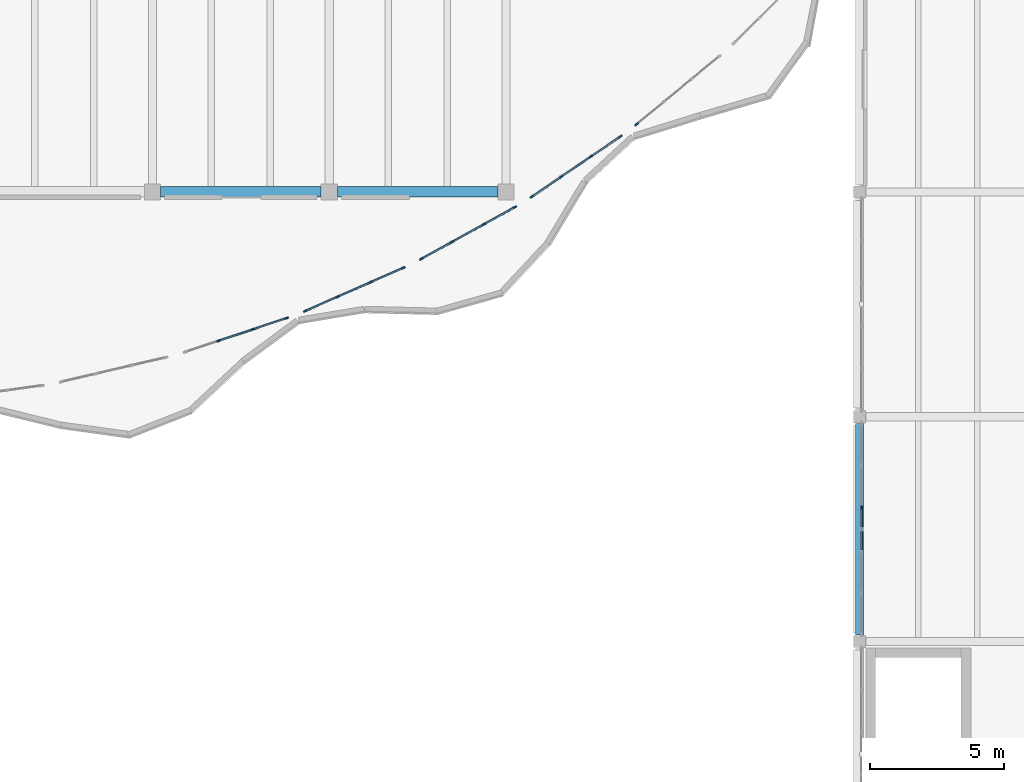
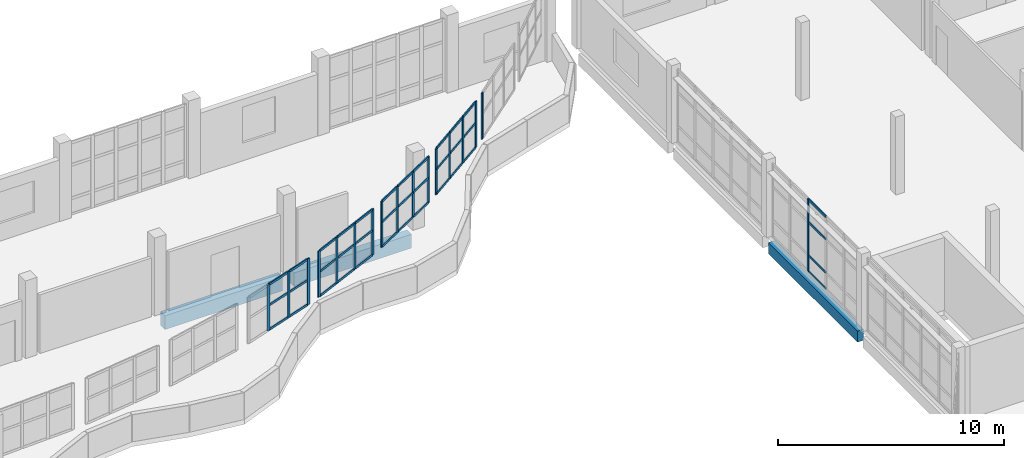
# One storey, part 28 of 74: 54 members, 3 beams, 6 elements without a shape of their own.
"""IFC4 building model written with IfcOpenShell, lengths in metres."""

from ifc_helpers import new_model, si_unit, direction, frame, origin, origin_2d, place, context, subcontext, project, spatial, rectangle, extrude, material, material_profile, profile_set, type_object, element, aggregate, save


model = new_model("IFC4")

# Units and contexts
model_context = context("Model", 3, precision=1e-05, world=origin(), true_north=direction((0.0, 1.0)))
body_context = subcontext(model_context, "Body", "Model", "MODEL_VIEW")
ifc_project = project(units=[si_unit("LENGTHUNIT", "METRE"), si_unit("AREAUNIT", "SQUARE_METRE"), si_unit("VOLUMEUNIT", "CUBIC_METRE"), si_unit("PLANEANGLEUNIT", "RADIAN"), si_unit("MASSUNIT", "GRAM", prefix="KILO")], contexts=[model_context])

# Site, building, storey
site_placement = place(None, origin())
site = spatial("IfcSite", under=ifc_project, at=site_placement, CompositionType="ELEMENT")
building_placement = place(site_placement, origin())
building = spatial("IfcBuilding", under=site, at=building_placement, Name="Qaldarim Faculty of Natural and Applied Sciences", CompositionType="ELEMENT")
storey_placement = place(building_placement, frame((0.0, 0.0, 14.39990234375)))
storey = spatial("IfcBuildingStorey", under=building, at=storey_placement, Name="L03", CompositionType="ELEMENT", Elevation=14.39990234375)

# Beams
ifc_material_1 = material(Name="Concrete C50/60", Category="concrete")
ifc_material_profile_1 = material_profile(ifc_material_1, rectangle(XDim=0.39990234375, YDim=0.75, at=origin_2d()), Name="RC-B400x750")
ifc_profile_set_1 = profile_set([ifc_material_profile_1], Name="Concrete C50/60")
beam_type_1 = type_object("IfcBeamType", Name="LabGirder-RC400x750", PredefinedType="BEAM", material=ifc_profile_set_1)
for number, where, z_axis, x_axis, name in (
    (1, (125.699951171875, 109.199951171875, -0.635009765625), (1.0, 0.0, 0.0), (0.0, 1.0, 0.0), "Beam RC-B400x750 L02 X20-X21/Y14"),
    (2, (132.300048828125, 109.199951171875, -0.635009765625), (1.0, 0.0, 0.0), (0.0, 1.0, 0.0), "Beam RC-B400x750 L02 X21-X22/Y14"),
):
    element("IfcBeam", number, at=place(storey_placement, frame(where, z_axis=z_axis, x_axis=x_axis)), inside=storey, type_object=beam_type_1, Name=name, PredefinedType="BEAM", context=body_context, shape_type="SweptSolid", body=[
        extrude(rectangle(XDim=0.39990234375, YDim=0.75, at=origin_2d()), origin(), (0.0, 0.0, 1.0), 6.0),
    ])

# Curtain wall, member
ifc_material_2 = material(Name="Anodised aluminium AW-6063", Category="aluminium")
curtain_wall_type_1 = type_object("IfcCurtainWallType", Name="CurtainWallSystem-M1600", PredefinedType="USERDEFINED", material=ifc_material_2)
curtain_wall_1_placement = place(storey_placement, origin())
curtain_wall_1 = element("IfcCurtainWall", 3, at=curtain_wall_1_placement, inside=storey, type_object=curtain_wall_type_1, Name="Curtain wall CW-L03-W-X24Y12", ObjectType="UNITISED FACADE", PredefinedType="USERDEFINED")
ifc_material_profile_2 = material_profile(ifc_material_2, rectangle(XDim=0.06005859375, YDim=0.14990234375, at=origin_2d()), Name="ALU-M60x150")
ifc_profile_set_2 = profile_set([ifc_material_profile_2], Name="Anodised aluminium AW-6063")
member_type_1 = type_object("IfcMemberType", Name="Mullion-ALU60x150", PredefinedType="MULLION", material=ifc_profile_set_2)
member_1_placement = place(storey_placement, frame((151.8798828125, 97.39599609375, 0.0), z_axis=(0.0, 0.0, 1.0), x_axis=(1.0, 0.0, 0.0)))
member_1 = element("IfcMember", 4, at=member_1_placement, type_object=member_type_1, Name="Mullion 3 of CW-L03-W-X24Y12", PredefinedType="MULLION", context=body_context, shape_type="SweptSolid", body=[
    extrude(rectangle(XDim=0.06005859375, YDim=0.14990234375, at=origin_2d()), origin(), (0.0, 0.0, 1.0), 3.940185546875),
])

# Curtain wall, members
curtain_wall_type_2 = type_object("IfcCurtainWallType", Name="CurtainWallSystem-M1400", PredefinedType="USERDEFINED", material=ifc_material_2)
curtain_wall_2_placement = place(storey_placement, origin())
curtain_wall_2 = element("IfcCurtainWall", 5, at=curtain_wall_2_placement, inside=storey, type_object=curtain_wall_type_2, Name="Curtain wall CW-V4ARC-L03-06", ObjectType="STICK CURTAIN WALL", PredefinedType="USERDEFINED")
member_2_placement = place(storey_placement, frame((127.873291015625, 103.63671875, 1.4501953125), z_axis=(0.0, 0.0, 1.0), x_axis=(-0.316592858196, 0.94856152259, 0.0)))
member_2 = element("IfcMember", 6, at=member_2_placement, type_object=member_type_1, Name="Mullion 2 of CW-V4ARC-L03-06", PredefinedType="MULLION", context=body_context, shape_type="SweptSolid", body=[
    extrude(rectangle(XDim=0.06005859375, YDim=0.14990234375, at=origin_2d()), origin(), (0.0, 0.0, 1.0), 2.489990234375),
])
member_3_placement = place(storey_placement, frame((129.151611328125, 104.063232421875, 1.4501953125), z_axis=(0.0, 0.0, 1.0), x_axis=(-0.316592858196, 0.94856152259, 0.0)))
member_3 = element("IfcMember", 7, at=member_3_placement, type_object=member_type_1, Name="Mullion 3 of CW-V4ARC-L03-06", PredefinedType="MULLION", context=body_context, shape_type="SweptSolid", body=[
    extrude(rectangle(XDim=0.06005859375, YDim=0.14990234375, at=origin_2d()), origin(), (0.0, 0.0, 1.0), 2.489990234375),
])
member_4_placement = place(storey_placement, frame((130.401611328125, 104.48046875, 1.4501953125), z_axis=(0.0, 0.0, 1.0), x_axis=(-0.316592858196, 0.94856152259, 0.0)))
member_4 = element("IfcMember", 8, at=member_4_placement, type_object=member_type_1, Name="Mullion 4 of CW-V4ARC-L03-06", PredefinedType="MULLION", context=body_context, shape_type="SweptSolid", body=[
    extrude(rectangle(XDim=0.06005859375, YDim=0.14990234375, at=origin_2d()), origin(), (0.0, 0.0, 1.0), 2.489990234375),
])

curtain_wall_3_placement = place(storey_placement, origin())
curtain_wall_3 = element("IfcCurtainWall", 9, at=curtain_wall_3_placement, inside=storey, type_object=curtain_wall_type_2, Name="Curtain wall CW-V4ARC-L03-08", ObjectType="STICK CURTAIN WALL", PredefinedType="USERDEFINED")
member_5_placement = place(storey_placement, frame((131.112548828125, 104.752197265625, 1.4501953125), z_axis=(0.0, 0.0, 1.0), x_axis=(-0.40269876371, 0.915332565632, 0.0)))
member_5 = element("IfcMember", 10, at=member_5_placement, type_object=member_type_1, Name="Mullion 1 of CW-V4ARC-L03-08", PredefinedType="MULLION", context=body_context, shape_type="SweptSolid", body=[
    extrude(rectangle(XDim=0.06005859375, YDim=0.14990234375, at=origin_2d()), origin(), (0.0, 0.0, 1.0), 2.489990234375),
])
member_6_placement = place(storey_placement, frame((132.320068359375, 105.283203125, 1.4501953125), z_axis=(0.0, 0.0, 1.0), x_axis=(-0.40269876371, 0.915332565632, 0.0)))
member_6 = element("IfcMember", 11, at=member_6_placement, type_object=member_type_1, Name="Mullion 2 of CW-V4ARC-L03-08", PredefinedType="MULLION", context=body_context, shape_type="SweptSolid", body=[
    extrude(rectangle(XDim=0.06005859375, YDim=0.14990234375, at=origin_2d()), origin(), (0.0, 0.0, 1.0), 2.489990234375),
])
member_7_placement = place(storey_placement, frame((133.554931640625, 105.82666015625, 1.4501953125), z_axis=(0.0, 0.0, 1.0), x_axis=(-0.40269876371, 0.915332565632, 0.0)))
member_7 = element("IfcMember", 12, at=member_7_placement, type_object=member_type_1, Name="Mullion 3 of CW-V4ARC-L03-08", PredefinedType="MULLION", context=body_context, shape_type="SweptSolid", body=[
    extrude(rectangle(XDim=0.06005859375, YDim=0.14990234375, at=origin_2d()), origin(), (0.0, 0.0, 1.0), 2.489990234375),
])
member_8_placement = place(storey_placement, frame((134.762451171875, 106.35791015625, 1.4501953125), z_axis=(0.0, 0.0, 1.0), x_axis=(-0.40269876371, 0.915332565632, 0.0)))
member_8 = element("IfcMember", 13, at=member_8_placement, type_object=member_type_1, Name="Mullion 4 of CW-V4ARC-L03-08", PredefinedType="MULLION", context=body_context, shape_type="SweptSolid", body=[
    extrude(rectangle(XDim=0.06005859375, YDim=0.14990234375, at=origin_2d()), origin(), (0.0, 0.0, 1.0), 2.489990234375),
])

curtain_wall_4_placement = place(storey_placement, origin())
curtain_wall_4 = element("IfcCurtainWall", 14, at=curtain_wall_4_placement, inside=storey, type_object=curtain_wall_type_2, Name="Curtain wall CW-V4ARC-L03-10", ObjectType="STICK CURTAIN WALL", PredefinedType="USERDEFINED")
member_9_placement = place(storey_placement, frame((135.441162109375, 106.694580078125, 1.4501953125), z_axis=(0.0, 0.0, 1.0), x_axis=(-0.484382142552, 0.874856525367, 0.0)))
member_9 = element("IfcMember", 15, at=member_9_placement, type_object=member_type_1, Name="Mullion 1 of CW-V4ARC-L03-10", PredefinedType="MULLION", context=body_context, shape_type="SweptSolid", body=[
    extrude(rectangle(XDim=0.06005859375, YDim=0.14990234375, at=origin_2d()), origin(), (0.0, 0.0, 1.0), 2.489990234375),
])
member_10_placement = place(storey_placement, frame((136.594970703125, 107.333251953125, 1.4501953125), z_axis=(0.0, 0.0, 1.0), x_axis=(-0.484382142552, 0.874856525367, 0.0)))
member_10 = element("IfcMember", 16, at=member_10_placement, type_object=member_type_1, Name="Mullion 2 of CW-V4ARC-L03-10", PredefinedType="MULLION", context=body_context, shape_type="SweptSolid", body=[
    extrude(rectangle(XDim=0.06005859375, YDim=0.14990234375, at=origin_2d()), origin(), (0.0, 0.0, 1.0), 2.489990234375),
])
member_11_placement = place(storey_placement, frame((137.77490234375, 107.98681640625, 1.4501953125), z_axis=(0.0, 0.0, 1.0), x_axis=(-0.484382142552, 0.874856525367, 0.0)))
member_11 = element("IfcMember", 17, at=member_11_placement, type_object=member_type_1, Name="Mullion 3 of CW-V4ARC-L03-10", PredefinedType="MULLION", context=body_context, shape_type="SweptSolid", body=[
    extrude(rectangle(XDim=0.06005859375, YDim=0.14990234375, at=origin_2d()), origin(), (0.0, 0.0, 1.0), 2.489990234375),
])
member_12_placement = place(storey_placement, frame((138.9287109375, 108.62548828125, 1.4501953125), z_axis=(0.0, 0.0, 1.0), x_axis=(-0.484382142552, 0.874856525367, 0.0)))
member_12 = element("IfcMember", 18, at=member_12_placement, type_object=member_type_1, Name="Mullion 4 of CW-V4ARC-L03-10", PredefinedType="MULLION", context=body_context, shape_type="SweptSolid", body=[
    extrude(rectangle(XDim=0.06005859375, YDim=0.14990234375, at=origin_2d()), origin(), (0.0, 0.0, 1.0), 2.489990234375),
])

curtain_wall_5_placement = place(storey_placement, origin())
curtain_wall_5 = element("IfcCurtainWall", 19, at=curtain_wall_5_placement, inside=storey, type_object=curtain_wall_type_2, Name="Curtain wall CW-V4ARC-L03-12", ObjectType="STICK CURTAIN WALL", PredefinedType="USERDEFINED")
member_13_placement = place(storey_placement, frame((139.57470703125, 109.02197265625, 1.4501953125), z_axis=(0.0, 0.0, 1.0), x_axis=(-0.562372049186, 0.826884319778, 0.0)))
member_13 = element("IfcMember", 20, at=member_13_placement, type_object=member_type_1, Name="Mullion 1 of CW-V4ARC-L03-12", PredefinedType="MULLION", context=body_context, shape_type="SweptSolid", body=[
    extrude(rectangle(XDim=0.06005859375, YDim=0.14990234375, at=origin_2d()), origin(), (0.0, 0.0, 1.0), 2.489990234375),
])
member_14_placement = place(storey_placement, frame((140.6650390625, 109.76318359375, 1.4501953125), z_axis=(0.0, 0.0, 1.0), x_axis=(-0.562372049186, 0.826884319778, 0.0)))
member_14 = element("IfcMember", 21, at=member_14_placement, type_object=member_type_1, Name="Mullion 2 of CW-V4ARC-L03-12", PredefinedType="MULLION", context=body_context, shape_type="SweptSolid", body=[
    extrude(rectangle(XDim=0.06005859375, YDim=0.14990234375, at=origin_2d()), origin(), (0.0, 0.0, 1.0), 2.489990234375),
])
member_15_placement = place(storey_placement, frame((141.780029296875, 110.521728515625, 1.4501953125), z_axis=(0.0, 0.0, 1.0), x_axis=(-0.562372049186, 0.826884319778, 0.0)))
member_15 = element("IfcMember", 22, at=member_15_placement, type_object=member_type_1, Name="Mullion 3 of CW-V4ARC-L03-12", PredefinedType="MULLION", context=body_context, shape_type="SweptSolid", body=[
    extrude(rectangle(XDim=0.06005859375, YDim=0.14990234375, at=origin_2d()), origin(), (0.0, 0.0, 1.0), 2.489990234375),
])
member_16_placement = place(storey_placement, frame((142.8701171875, 111.26318359375, 1.4501953125), z_axis=(0.0, 0.0, 1.0), x_axis=(-0.562372049186, 0.826884319778, 0.0)))
member_16 = element("IfcMember", 23, at=member_16_placement, type_object=member_type_1, Name="Mullion 4 of CW-V4ARC-L03-12", PredefinedType="MULLION", context=body_context, shape_type="SweptSolid", body=[
    extrude(rectangle(XDim=0.06005859375, YDim=0.14990234375, at=origin_2d()), origin(), (0.0, 0.0, 1.0), 2.489990234375),
])

# Curtain wall, member
curtain_wall_6_placement = place(storey_placement, origin())
curtain_wall_6 = element("IfcCurtainWall", 24, at=curtain_wall_6_placement, inside=storey, type_object=curtain_wall_type_2, Name="Curtain wall CW-V4ARC-L03-14", ObjectType="STICK CURTAIN WALL", PredefinedType="USERDEFINED")
member_17_placement = place(storey_placement, frame((143.478271484375, 111.718994140625, 1.4501953125), z_axis=(0.0, 0.0, 1.0), x_axis=(-0.635930067271, 0.771746687418, 0.0)))
member_17 = element("IfcMember", 25, at=member_17_placement, type_object=member_type_1, Name="Mullion 1 of CW-V4ARC-L03-14", PredefinedType="MULLION", context=body_context, shape_type="SweptSolid", body=[
    extrude(rectangle(XDim=0.06005859375, YDim=0.14990234375, at=origin_2d()), origin(), (0.0, 0.0, 1.0), 2.489990234375),
])
aggregate(curtain_wall_6, [member_17])

# Beam
ifc_material_3 = material(Name="Precast concrete C40/50", Category="concrete")
ifc_material_profile_3 = material_profile(ifc_material_3, rectangle(XDim=0.300048828125, YDim=0.60009765625, at=origin_2d()), Name="RC-SP300x600")
ifc_profile_set_3 = profile_set([ifc_material_profile_3], Name="Precast concrete C40/50")
beam_type_2 = type_object("IfcBeamType", Name="SpandrelBeam-RC300x600", PredefinedType="SPANDREL", material=ifc_profile_set_3)
beam_placement = place(storey_placement, frame((151.800048828125, 92.64990234375, -0.559814453125), z_axis=(0.0, 1.0, 0.0), x_axis=(-1.0, 0.0, 0.0)))
element("IfcBeam", 26, at=beam_placement, inside=storey, type_object=beam_type_2, Name="Beam RC-SP300x600 L02 X24/Y12-Y13", PredefinedType="SPANDREL", context=body_context, shape_type="SweptSolid", body=[
    extrude(rectangle(XDim=0.300048828125, YDim=0.60009765625, at=origin_2d()), origin(), (0.0, 0.0, 1.0), 7.900146484375),
])

# Member
ifc_material_profile_4 = material_profile(ifc_material_2, rectangle(XDim=0.06005859375, YDim=0.1201171875, at=origin_2d()), Name="ALU-T60x120")
ifc_profile_set_4 = profile_set([ifc_material_profile_4], Name="Anodised aluminium AW-6063")
member_type_2 = type_object("IfcMemberType", Name="Transom-ALU60x120", PredefinedType="USERDEFINED", material=ifc_profile_set_4)
member_18_placement = place(storey_placement, frame((151.8798828125, 97.365966796875, 0.030029296875), z_axis=(0.0, -1.0, 0.0), x_axis=(1.0, 0.0, 0.0)))
member_18 = element("IfcMember", 27, at=member_18_placement, type_object=member_type_2, Name="Transom 3-1 of CW-L03-W-X24Y12", ObjectType="TRANSOM", PredefinedType="USERDEFINED", context=body_context, shape_type="SweptSolid", body=[
    extrude(rectangle(XDim=0.06005859375, YDim=0.1201171875, at=origin_2d()), origin(), (0.0, 0.0, 1.0), 1.531982421875),
])

member_19_placement = place(storey_placement, frame((151.8798828125, 97.365966796875, 0.900146484375), z_axis=(0.0, -1.0, 0.0), x_axis=(1.0, 0.0, 0.0)))
member_19 = element("IfcMember", 28, at=member_19_placement, type_object=member_type_2, Name="Transom 3-2 of CW-L03-W-X24Y12", ObjectType="TRANSOM", PredefinedType="USERDEFINED", context=body_context, shape_type="SweptSolid", body=[
    extrude(rectangle(XDim=0.06005859375, YDim=0.1201171875, at=origin_2d()), origin(), (0.0, 0.0, 1.0), 1.531982421875),
])

member_20_placement = place(storey_placement, frame((151.8798828125, 97.365966796875, 2.7001953125), z_axis=(0.0, -1.0, 0.0), x_axis=(1.0, 0.0, 0.0)))
member_20 = element("IfcMember", 29, at=member_20_placement, type_object=member_type_2, Name="Transom 3-3 of CW-L03-W-X24Y12", ObjectType="TRANSOM", PredefinedType="USERDEFINED", context=body_context, shape_type="SweptSolid", body=[
    extrude(rectangle(XDim=0.06005859375, YDim=0.1201171875, at=origin_2d()), origin(), (0.0, 0.0, 1.0), 1.531982421875),
])

member_21_placement = place(storey_placement, frame((151.8798828125, 97.365966796875, 3.91015625), z_axis=(0.0, -1.0, 0.0), x_axis=(1.0, 0.0, 0.0)))
member_21 = element("IfcMember", 30, at=member_21_placement, type_object=member_type_2, Name="Transom 3-4 of CW-L03-W-X24Y12", ObjectType="TRANSOM", PredefinedType="USERDEFINED", context=body_context, shape_type="SweptSolid", body=[
    extrude(rectangle(XDim=0.06005859375, YDim=0.1201171875, at=origin_2d()), origin(), (0.0, 0.0, 1.0), 1.531982421875),
])

aggregate(curtain_wall_1, [member_1, member_18, member_19, member_20, member_21])

member_22_placement = place(storey_placement, frame((127.90185546875, 103.646240234375, 1.47998046875), z_axis=(0.948607427677, 0.316455286187, 0.0), x_axis=(-0.316455286187, 0.948607427677, 0.0)))
member_22 = element("IfcMember", 31, at=member_22_placement, type_object=member_type_2, Name="Transom 2-1 of CW-V4ARC-L03-06", ObjectType="TRANSOM", PredefinedType="USERDEFINED", context=body_context, shape_type="SweptSolid", body=[
    extrude(rectangle(XDim=0.06005859375, YDim=0.1201171875, at=origin_2d()), origin(), (0.0, 0.0, 1.0), 1.28759765625),
])

member_23_placement = place(storey_placement, frame((127.90185546875, 103.646240234375, 2.800048828125), z_axis=(0.948607427677, 0.316455286187, 0.0), x_axis=(-0.316455286187, 0.948607427677, 0.0)))
member_23 = element("IfcMember", 32, at=member_23_placement, type_object=member_type_2, Name="Transom 2-2 of CW-V4ARC-L03-06", ObjectType="TRANSOM", PredefinedType="USERDEFINED", context=body_context, shape_type="SweptSolid", body=[
    extrude(rectangle(XDim=0.06005859375, YDim=0.1201171875, at=origin_2d()), origin(), (0.0, 0.0, 1.0), 1.28759765625),
])

member_24_placement = place(storey_placement, frame((127.90185546875, 103.646240234375, 3.91015625), z_axis=(0.948607427677, 0.316455286187, 0.0), x_axis=(-0.316455286187, 0.948607427677, 0.0)))
member_24 = element("IfcMember", 33, at=member_24_placement, type_object=member_type_2, Name="Transom 2-3 of CW-V4ARC-L03-06", ObjectType="TRANSOM", PredefinedType="USERDEFINED", context=body_context, shape_type="SweptSolid", body=[
    extrude(rectangle(XDim=0.06005859375, YDim=0.1201171875, at=origin_2d()), origin(), (0.0, 0.0, 1.0), 1.28759765625),
])

member_25_placement = place(storey_placement, frame((129.18017578125, 104.07275390625, 1.47998046875), z_axis=(0.948547315421, 0.31663542191, 0.0), x_axis=(-0.31663542191, 0.948547315421, 0.0)))
member_25 = element("IfcMember", 34, at=member_25_placement, type_object=member_type_2, Name="Transom 3-1 of CW-V4ARC-L03-06", ObjectType="TRANSOM", PredefinedType="USERDEFINED", context=body_context, shape_type="SweptSolid", body=[
    extrude(rectangle(XDim=0.06005859375, YDim=0.1201171875, at=origin_2d()), origin(), (0.0, 0.0, 1.0), 1.257568359375),
])

member_26_placement = place(storey_placement, frame((129.18017578125, 104.07275390625, 2.800048828125), z_axis=(0.948547315421, 0.31663542191, 0.0), x_axis=(-0.31663542191, 0.948547315421, 0.0)))
member_26 = element("IfcMember", 35, at=member_26_placement, type_object=member_type_2, Name="Transom 3-2 of CW-V4ARC-L03-06", ObjectType="TRANSOM", PredefinedType="USERDEFINED", context=body_context, shape_type="SweptSolid", body=[
    extrude(rectangle(XDim=0.06005859375, YDim=0.1201171875, at=origin_2d()), origin(), (0.0, 0.0, 1.0), 1.257568359375),
])

member_27_placement = place(storey_placement, frame((129.18017578125, 104.07275390625, 3.91015625), z_axis=(0.948547315421, 0.31663542191, 0.0), x_axis=(-0.31663542191, 0.948547315421, 0.0)))
member_27 = element("IfcMember", 36, at=member_27_placement, type_object=member_type_2, Name="Transom 3-3 of CW-V4ARC-L03-06", ObjectType="TRANSOM", PredefinedType="USERDEFINED", context=body_context, shape_type="SweptSolid", body=[
    extrude(rectangle(XDim=0.06005859375, YDim=0.1201171875, at=origin_2d()), origin(), (0.0, 0.0, 1.0), 1.257568359375),
])

aggregate(curtain_wall_2, [member_2, member_3, member_4, member_22, member_23, member_24, member_25, member_26, member_27])

member_28_placement = place(storey_placement, frame((131.139892578125, 104.76416015625, 1.47998046875), z_axis=(0.915332184978, 0.402699628934, 0.0), x_axis=(-0.402699628934, 0.915332184978, 0.0)))
member_28 = element("IfcMember", 37, at=member_28_placement, type_object=member_type_2, Name="Transom 1-1 of CW-V4ARC-L03-08", ObjectType="TRANSOM", PredefinedType="USERDEFINED", context=body_context, shape_type="SweptSolid", body=[
    extrude(rectangle(XDim=0.06005859375, YDim=0.1201171875, at=origin_2d()), origin(), (0.0, 0.0, 1.0), 1.25927734375),
])

member_29_placement = place(storey_placement, frame((131.139892578125, 104.76416015625, 2.800048828125), z_axis=(0.915332184978, 0.402699628934, 0.0), x_axis=(-0.402699628934, 0.915332184978, 0.0)))
member_29 = element("IfcMember", 38, at=member_29_placement, type_object=member_type_2, Name="Transom 1-2 of CW-V4ARC-L03-08", ObjectType="TRANSOM", PredefinedType="USERDEFINED", context=body_context, shape_type="SweptSolid", body=[
    extrude(rectangle(XDim=0.06005859375, YDim=0.1201171875, at=origin_2d()), origin(), (0.0, 0.0, 1.0), 1.25927734375),
])

member_30_placement = place(storey_placement, frame((131.139892578125, 104.76416015625, 3.91015625), z_axis=(0.915332184978, 0.402699628934, 0.0), x_axis=(-0.402699628934, 0.915332184978, 0.0)))
member_30 = element("IfcMember", 39, at=member_30_placement, type_object=member_type_2, Name="Transom 1-3 of CW-V4ARC-L03-08", ObjectType="TRANSOM", PredefinedType="USERDEFINED", context=body_context, shape_type="SweptSolid", body=[
    extrude(rectangle(XDim=0.06005859375, YDim=0.1201171875, at=origin_2d()), origin(), (0.0, 0.0, 1.0), 1.25927734375),
])

member_31_placement = place(storey_placement, frame((132.347412109375, 105.29541015625, 1.47998046875), z_axis=(0.915312240394, 0.402744959726, 0.0), x_axis=(-0.402744959726, 0.915312240394, 0.0)))
member_31 = element("IfcMember", 40, at=member_31_placement, type_object=member_type_2, Name="Transom 2-1 of CW-V4ARC-L03-08", ObjectType="TRANSOM", PredefinedType="USERDEFINED", context=body_context, shape_type="SweptSolid", body=[
    extrude(rectangle(XDim=0.06005859375, YDim=0.1201171875, at=origin_2d()), origin(), (0.0, 0.0, 1.0), 1.289306640625),
])

member_32_placement = place(storey_placement, frame((132.347412109375, 105.29541015625, 2.800048828125), z_axis=(0.915312240394, 0.402744959726, 0.0), x_axis=(-0.402744959726, 0.915312240394, 0.0)))
member_32 = element("IfcMember", 41, at=member_32_placement, type_object=member_type_2, Name="Transom 2-2 of CW-V4ARC-L03-08", ObjectType="TRANSOM", PredefinedType="USERDEFINED", context=body_context, shape_type="SweptSolid", body=[
    extrude(rectangle(XDim=0.06005859375, YDim=0.1201171875, at=origin_2d()), origin(), (0.0, 0.0, 1.0), 1.289306640625),
])

member_33_placement = place(storey_placement, frame((132.347412109375, 105.29541015625, 3.91015625), z_axis=(0.915312240394, 0.402744959726, 0.0), x_axis=(-0.402744959726, 0.915312240394, 0.0)))
member_33 = element("IfcMember", 42, at=member_33_placement, type_object=member_type_2, Name="Transom 2-3 of CW-V4ARC-L03-08", ObjectType="TRANSOM", PredefinedType="USERDEFINED", context=body_context, shape_type="SweptSolid", body=[
    extrude(rectangle(XDim=0.06005859375, YDim=0.1201171875, at=origin_2d()), origin(), (0.0, 0.0, 1.0), 1.289306640625),
])

member_34_placement = place(storey_placement, frame((133.58251953125, 105.838623046875, 1.47998046875), z_axis=(0.915332184978, 0.402699628934, 0.0), x_axis=(-0.402699628934, 0.915332184978, 0.0)))
member_34 = element("IfcMember", 43, at=member_34_placement, type_object=member_type_2, Name="Transom 3-1 of CW-V4ARC-L03-08", ObjectType="TRANSOM", PredefinedType="USERDEFINED", context=body_context, shape_type="SweptSolid", body=[
    extrude(rectangle(XDim=0.06005859375, YDim=0.1201171875, at=origin_2d()), origin(), (0.0, 0.0, 1.0), 1.25927734375),
])

member_35_placement = place(storey_placement, frame((133.58251953125, 105.838623046875, 2.800048828125), z_axis=(0.915332184978, 0.402699628934, 0.0), x_axis=(-0.402699628934, 0.915332184978, 0.0)))
member_35 = element("IfcMember", 44, at=member_35_placement, type_object=member_type_2, Name="Transom 3-2 of CW-V4ARC-L03-08", ObjectType="TRANSOM", PredefinedType="USERDEFINED", context=body_context, shape_type="SweptSolid", body=[
    extrude(rectangle(XDim=0.06005859375, YDim=0.1201171875, at=origin_2d()), origin(), (0.0, 0.0, 1.0), 1.25927734375),
])

member_36_placement = place(storey_placement, frame((133.58251953125, 105.838623046875, 3.91015625), z_axis=(0.915332184978, 0.402699628934, 0.0), x_axis=(-0.402699628934, 0.915332184978, 0.0)))
member_36 = element("IfcMember", 45, at=member_36_placement, type_object=member_type_2, Name="Transom 3-3 of CW-V4ARC-L03-08", ObjectType="TRANSOM", PredefinedType="USERDEFINED", context=body_context, shape_type="SweptSolid", body=[
    extrude(rectangle(XDim=0.06005859375, YDim=0.1201171875, at=origin_2d()), origin(), (0.0, 0.0, 1.0), 1.25927734375),
])

aggregate(curtain_wall_3, [member_5, member_6, member_7, member_8, member_28, member_29, member_30, member_31, member_32, member_33, member_34, member_35, member_36])

member_37_placement = place(storey_placement, frame((135.467529296875, 106.708984375, 1.47998046875), z_axis=(0.874824232123, 0.484440463721, 0.0), x_axis=(-0.484440463721, 0.874824232123, 0.0)))
member_37 = element("IfcMember", 46, at=member_37_placement, type_object=member_type_2, Name="Transom 1-1 of CW-V4ARC-L03-10", ObjectType="TRANSOM", PredefinedType="USERDEFINED", context=body_context, shape_type="SweptSolid", body=[
    extrude(rectangle(XDim=0.06005859375, YDim=0.1201171875, at=origin_2d()), origin(), (0.0, 0.0, 1.0), 1.2587890625),
])

member_38_placement = place(storey_placement, frame((135.467529296875, 106.708984375, 2.800048828125), z_axis=(0.874824232123, 0.484440463721, 0.0), x_axis=(-0.484440463721, 0.874824232123, 0.0)))
member_38 = element("IfcMember", 47, at=member_38_placement, type_object=member_type_2, Name="Transom 1-2 of CW-V4ARC-L03-10", ObjectType="TRANSOM", PredefinedType="USERDEFINED", context=body_context, shape_type="SweptSolid", body=[
    extrude(rectangle(XDim=0.06005859375, YDim=0.1201171875, at=origin_2d()), origin(), (0.0, 0.0, 1.0), 1.2587890625),
])

member_39_placement = place(storey_placement, frame((135.467529296875, 106.708984375, 3.91015625), z_axis=(0.874824232123, 0.484440463721, 0.0), x_axis=(-0.484440463721, 0.874824232123, 0.0)))
member_39 = element("IfcMember", 48, at=member_39_placement, type_object=member_type_2, Name="Transom 1-3 of CW-V4ARC-L03-10", ObjectType="TRANSOM", PredefinedType="USERDEFINED", context=body_context, shape_type="SweptSolid", body=[
    extrude(rectangle(XDim=0.06005859375, YDim=0.1201171875, at=origin_2d()), origin(), (0.0, 0.0, 1.0), 1.2587890625),
])

member_40_placement = place(storey_placement, frame((136.62109375, 107.347900390625, 1.47998046875), z_axis=(0.874888908456, 0.484323649908, 0.0), x_axis=(-0.484323649908, 0.874888908456, 0.0)))
member_40 = element("IfcMember", 49, at=member_40_placement, type_object=member_type_2, Name="Transom 2-1 of CW-V4ARC-L03-10", ObjectType="TRANSOM", PredefinedType="USERDEFINED", context=body_context, shape_type="SweptSolid", body=[
    extrude(rectangle(XDim=0.06005859375, YDim=0.1201171875, at=origin_2d()), origin(), (0.0, 0.0, 1.0), 1.2890625),
])

member_41_placement = place(storey_placement, frame((136.62109375, 107.347900390625, 2.800048828125), z_axis=(0.874888908456, 0.484323649908, 0.0), x_axis=(-0.484323649908, 0.874888908456, 0.0)))
member_41 = element("IfcMember", 50, at=member_41_placement, type_object=member_type_2, Name="Transom 2-2 of CW-V4ARC-L03-10", ObjectType="TRANSOM", PredefinedType="USERDEFINED", context=body_context, shape_type="SweptSolid", body=[
    extrude(rectangle(XDim=0.06005859375, YDim=0.1201171875, at=origin_2d()), origin(), (0.0, 0.0, 1.0), 1.2890625),
])

member_42_placement = place(storey_placement, frame((136.62109375, 107.347900390625, 3.91015625), z_axis=(0.874888908456, 0.484323649908, 0.0), x_axis=(-0.484323649908, 0.874888908456, 0.0)))
member_42 = element("IfcMember", 51, at=member_42_placement, type_object=member_type_2, Name="Transom 2-3 of CW-V4ARC-L03-10", ObjectType="TRANSOM", PredefinedType="USERDEFINED", context=body_context, shape_type="SweptSolid", body=[
    extrude(rectangle(XDim=0.06005859375, YDim=0.1201171875, at=origin_2d()), origin(), (0.0, 0.0, 1.0), 1.2890625),
])

member_43_placement = place(storey_placement, frame((137.80126953125, 108.001220703125, 1.47998046875), z_axis=(0.874906415399, 0.484292023776, 0.0), x_axis=(-0.484292023776, 0.874906415399, 0.0)))
member_43 = element("IfcMember", 52, at=member_43_placement, type_object=member_type_2, Name="Transom 3-1 of CW-V4ARC-L03-10", ObjectType="TRANSOM", PredefinedType="USERDEFINED", context=body_context, shape_type="SweptSolid", body=[
    extrude(rectangle(XDim=0.06005859375, YDim=0.1201171875, at=origin_2d()), origin(), (0.0, 0.0, 1.0), 1.2587890625),
])

member_44_placement = place(storey_placement, frame((137.80126953125, 108.001220703125, 2.800048828125), z_axis=(0.874906415399, 0.484292023776, 0.0), x_axis=(-0.484292023776, 0.874906415399, 0.0)))
member_44 = element("IfcMember", 53, at=member_44_placement, type_object=member_type_2, Name="Transom 3-2 of CW-V4ARC-L03-10", ObjectType="TRANSOM", PredefinedType="USERDEFINED", context=body_context, shape_type="SweptSolid", body=[
    extrude(rectangle(XDim=0.06005859375, YDim=0.1201171875, at=origin_2d()), origin(), (0.0, 0.0, 1.0), 1.2587890625),
])

member_45_placement = place(storey_placement, frame((137.80126953125, 108.001220703125, 3.91015625), z_axis=(0.874906415399, 0.484292023776, 0.0), x_axis=(-0.484292023776, 0.874906415399, 0.0)))
member_45 = element("IfcMember", 54, at=member_45_placement, type_object=member_type_2, Name="Transom 3-3 of CW-V4ARC-L03-10", ObjectType="TRANSOM", PredefinedType="USERDEFINED", context=body_context, shape_type="SweptSolid", body=[
    extrude(rectangle(XDim=0.06005859375, YDim=0.1201171875, at=origin_2d()), origin(), (0.0, 0.0, 1.0), 1.2587890625),
])

aggregate(curtain_wall_4, [member_9, member_10, member_11, member_12, member_37, member_38, member_39, member_40, member_41, member_42, member_43, member_44, member_45])

member_46_placement = place(storey_placement, frame((139.599609375, 109.038818359375, 1.47998046875), z_axis=(0.826850717862, 0.562421452624, 0.0), x_axis=(-0.562421452624, 0.826850717862, 0.0)))
member_46 = element("IfcMember", 55, at=member_46_placement, type_object=member_type_2, Name="Transom 1-1 of CW-V4ARC-L03-12", ObjectType="TRANSOM", PredefinedType="USERDEFINED", context=body_context, shape_type="SweptSolid", body=[
    extrude(rectangle(XDim=0.06005859375, YDim=0.1201171875, at=origin_2d()), origin(), (0.0, 0.0, 1.0), 1.25830078125),
])

member_47_placement = place(storey_placement, frame((139.599609375, 109.038818359375, 2.800048828125), z_axis=(0.826850717862, 0.562421452624, 0.0), x_axis=(-0.562421452624, 0.826850717862, 0.0)))
member_47 = element("IfcMember", 56, at=member_47_placement, type_object=member_type_2, Name="Transom 1-2 of CW-V4ARC-L03-12", ObjectType="TRANSOM", PredefinedType="USERDEFINED", context=body_context, shape_type="SweptSolid", body=[
    extrude(rectangle(XDim=0.06005859375, YDim=0.1201171875, at=origin_2d()), origin(), (0.0, 0.0, 1.0), 1.25830078125),
])

member_48_placement = place(storey_placement, frame((139.599609375, 109.038818359375, 3.91015625), z_axis=(0.826850717862, 0.562421452624, 0.0), x_axis=(-0.562421452624, 0.826850717862, 0.0)))
member_48 = element("IfcMember", 57, at=member_48_placement, type_object=member_type_2, Name="Transom 1-3 of CW-V4ARC-L03-12", ObjectType="TRANSOM", PredefinedType="USERDEFINED", context=body_context, shape_type="SweptSolid", body=[
    extrude(rectangle(XDim=0.06005859375, YDim=0.1201171875, at=origin_2d()), origin(), (0.0, 0.0, 1.0), 1.25830078125),
])

member_49_placement = place(storey_placement, frame((140.689697265625, 109.7802734375, 1.47998046875), z_axis=(0.826884209123, 0.562372211887, 0.0), x_axis=(-0.562372211887, 0.826884209123, 0.0)))
member_49 = element("IfcMember", 58, at=member_49_placement, type_object=member_type_2, Name="Transom 2-1 of CW-V4ARC-L03-12", ObjectType="TRANSOM", PredefinedType="USERDEFINED", context=body_context, shape_type="SweptSolid", body=[
    extrude(rectangle(XDim=0.06005859375, YDim=0.1201171875, at=origin_2d()), origin(), (0.0, 0.0, 1.0), 1.28857421875),
])

member_50_placement = place(storey_placement, frame((140.689697265625, 109.7802734375, 2.800048828125), z_axis=(0.826884209123, 0.562372211887, 0.0), x_axis=(-0.562372211887, 0.826884209123, 0.0)))
member_50 = element("IfcMember", 59, at=member_50_placement, type_object=member_type_2, Name="Transom 2-2 of CW-V4ARC-L03-12", ObjectType="TRANSOM", PredefinedType="USERDEFINED", context=body_context, shape_type="SweptSolid", body=[
    extrude(rectangle(XDim=0.06005859375, YDim=0.1201171875, at=origin_2d()), origin(), (0.0, 0.0, 1.0), 1.28857421875),
])

member_51_placement = place(storey_placement, frame((140.689697265625, 109.7802734375, 3.91015625), z_axis=(0.826884209123, 0.562372211887, 0.0), x_axis=(-0.562372211887, 0.826884209123, 0.0)))
member_51 = element("IfcMember", 60, at=member_51_placement, type_object=member_type_2, Name="Transom 2-3 of CW-V4ARC-L03-12", ObjectType="TRANSOM", PredefinedType="USERDEFINED", context=body_context, shape_type="SweptSolid", body=[
    extrude(rectangle(XDim=0.06005859375, YDim=0.1201171875, at=origin_2d()), origin(), (0.0, 0.0, 1.0), 1.28857421875),
])

member_52_placement = place(storey_placement, frame((141.8046875, 110.53857421875, 1.47998046875), z_axis=(0.826912070455, 0.562331243784, 0.0), x_axis=(-0.562331243784, 0.826912070455, 0.0)))
member_52 = element("IfcMember", 61, at=member_52_placement, type_object=member_type_2, Name="Transom 3-1 of CW-V4ARC-L03-12", ObjectType="TRANSOM", PredefinedType="USERDEFINED", context=body_context, shape_type="SweptSolid", body=[
    extrude(rectangle(XDim=0.06005859375, YDim=0.1201171875, at=origin_2d()), origin(), (0.0, 0.0, 1.0), 1.258544921875),
])

member_53_placement = place(storey_placement, frame((141.8046875, 110.53857421875, 2.800048828125), z_axis=(0.826912070455, 0.562331243784, 0.0), x_axis=(-0.562331243784, 0.826912070455, 0.0)))
member_53 = element("IfcMember", 62, at=member_53_placement, type_object=member_type_2, Name="Transom 3-2 of CW-V4ARC-L03-12", ObjectType="TRANSOM", PredefinedType="USERDEFINED", context=body_context, shape_type="SweptSolid", body=[
    extrude(rectangle(XDim=0.06005859375, YDim=0.1201171875, at=origin_2d()), origin(), (0.0, 0.0, 1.0), 1.258544921875),
])

member_54_placement = place(storey_placement, frame((141.8046875, 110.53857421875, 3.91015625), z_axis=(0.826912070455, 0.562331243784, 0.0), x_axis=(-0.562331243784, 0.826912070455, 0.0)))
member_54 = element("IfcMember", 63, at=member_54_placement, type_object=member_type_2, Name="Transom 3-3 of CW-V4ARC-L03-12", ObjectType="TRANSOM", PredefinedType="USERDEFINED", context=body_context, shape_type="SweptSolid", body=[
    extrude(rectangle(XDim=0.06005859375, YDim=0.1201171875, at=origin_2d()), origin(), (0.0, 0.0, 1.0), 1.258544921875),
])

aggregate(curtain_wall_5, [member_13, member_14, member_15, member_16, member_46, member_47, member_48, member_49, member_50, member_51, member_52, member_53, member_54])

save(model, "model.ifc")
